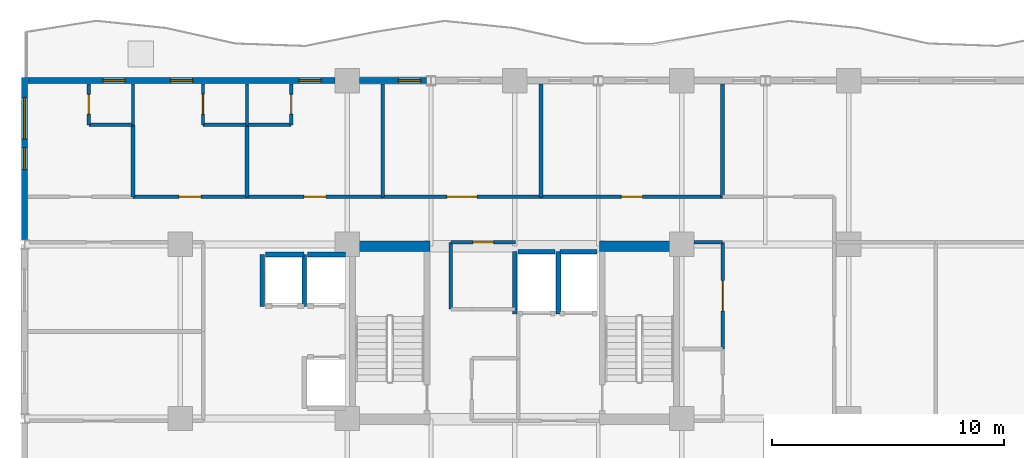
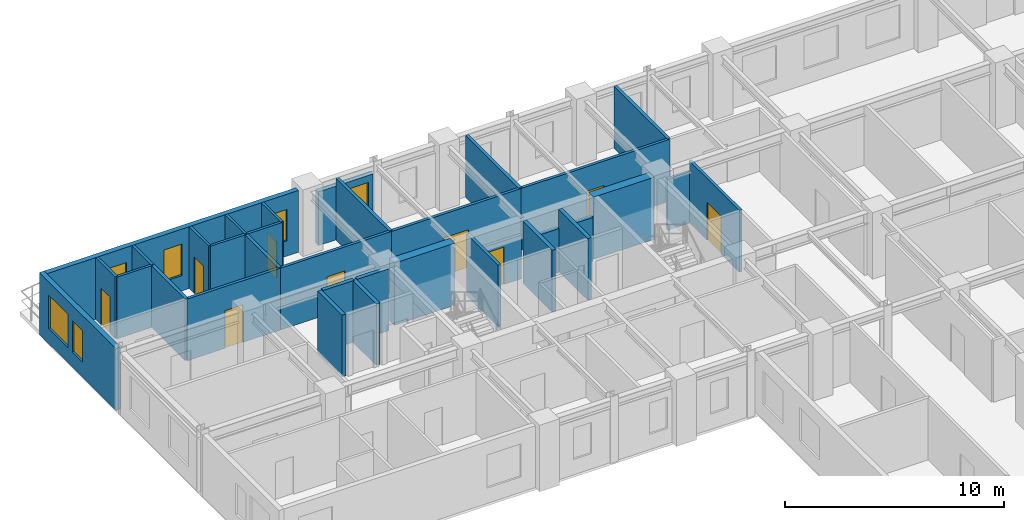
# One storey, part 8 of 13: 34 walls, 9 doors, 6 windows, 15 openings.
"""IFC4 building model written with IfcOpenShell, lengths in metres."""

from ifc_helpers import new_model, si_unit, direction, frame, frame_2d, origin, place, context, subcontext, project, spatial, rectangle, extrude, material, layer, layer_set, type_object, element, fill, save


model = new_model("IFC4")

# Units and contexts
model_context = context("Model", 3, precision=1e-05, world=origin(), true_north=direction((0.0, 1.0)))
body_context = subcontext(model_context, "Body", "Model", "MODEL_VIEW")
ifc_project = project(units=[si_unit("LENGTHUNIT", "METRE"), si_unit("AREAUNIT", "SQUARE_METRE"), si_unit("VOLUMEUNIT", "CUBIC_METRE"), si_unit("PLANEANGLEUNIT", "RADIAN"), si_unit("MASSUNIT", "GRAM", prefix="KILO")], contexts=[model_context])

# Site, building, storey
site_placement = place(None, origin())
site = spatial("IfcSite", under=ifc_project, at=site_placement, CompositionType="ELEMENT")
building_placement = place(site_placement, origin())
building = spatial("IfcBuilding", under=site, at=building_placement, Name="Kaliganga Portal Commons", CompositionType="ELEMENT")
storey_placement = place(building_placement, frame((0.0, 0.0, 162.39990234375)))
storey = spatial("IfcBuildingStorey", under=building, at=storey_placement, Name="L41", CompositionType="ELEMENT", Elevation=162.39990234375)

# Walls
ifc_material_1 = material(Name="Concrete C60/75", Category="concrete")
ifc_layer_1 = layer(ifc_material_1, 0.449951171875)
ifc_layer_set_1 = layer_set([ifc_layer_1], Name="Concrete C60/75")
wall_type_1 = type_object("IfcWallType", Name="WL-CORE-450", PredefinedType="SHEAR", material=ifc_layer_set_1)
for number, where, z_axis, x_axis, name in (
    (1, (14.75, 36.074951171875, 0.0), (0.0, 0.0, 1.0), (1.0, 0.0, 0.0), "Core A N-West Shear Wall L41"),
    (2, (25.25, 36.074951171875, 0.0), (0.0, 0.0, 1.0), (1.0, 0.0, 0.0), "Core A N-East Shear Wall L41"),
):
    element("IfcWall", number, at=place(storey_placement, frame(where, z_axis=z_axis, x_axis=x_axis)), inside=storey, type_object=wall_type_1, Name=name, PredefinedType="SHEAR", context=body_context, shape_type="SweptSolid", body=[
        extrude(rectangle(XDim=3.199951171875, YDim=0.449951171875, at=frame_2d((1.60009765625, 0.0))), origin(), (0.0, 0.0, 1.0), 3.460205078125),
    ])

# Wall, opening, window
ifc_material_2 = material(Name="Insulated Aluminium-Clad Spandrel Assembly", Category="aluminium")
ifc_layer_2 = layer(ifc_material_2, 0.260009765625)
ifc_layer_set_2 = layer_set([ifc_layer_2], Name="Insulated Aluminium-Clad Spandrel Assembly")
wall_type_2 = type_object("IfcWallType", Name="WL-EXT-SPAND-260", PredefinedType="STANDARD", material=ifc_layer_set_2)
wall_1_placement = place(storey_placement, frame((14.926025390625, 43.199951171875, 0.0), z_axis=(0.0, 0.0, 1.0), x_axis=(1.0, 0.0, 0.0)))
wall_1 = element("IfcWall", 3, at=wall_1_placement, inside=storey, type_object=wall_type_2, Name="Exterior Envelope Wall L41 P1-E02-S8", PredefinedType="STANDARD", context=body_context, shape_type="SweptSolid", body=[
    extrude(rectangle(XDim=2.87109375, YDim=0.260009765625, at=frame_2d((1.435546875, 0.0))), origin(), (0.0, 0.0, 1.0), 2.989990234375),
])
opening_1_placement = place(wall_1_placement, frame((1.672607421875, 0.0, 0.85009765625)))
opening_1 = element("IfcOpeningElement", 4, at=opening_1_placement, cuts=wall_1, Name="Opening W-04", PredefinedType="OPENING", context=body_context, shape_type="SweptSolid", body=[
    extrude(rectangle(XDim=0.949951171875, YDim=1.75, at=frame_2d((0.47509765625, 0.875))), frame((0.0, 0.14013671875, 0.0), z_axis=(0.0, -1.0, 0.0), x_axis=(1.0, 0.0, 0.0)), (0.0, 0.0, 1.0), 0.280029296875),
])
ifc_material_3 = material(Name="Thermally Broken Aluminium and Low-E Double Glazing", Category="aluminium")
window_type_1 = type_object("IfcWindowType", Name="WIN-NARROW-950", PartitioningType="SINGLE_PANEL", PredefinedType="WINDOW", material=ifc_material_3)
window_1_placement = place(opening_1_placement, origin())
window_1 = element("IfcWindow", 5, at=window_1_placement, inside=storey, type_object=window_type_1, Name="Facade Window L41-P1E02S8-N2", OverallHeight=1.75, OverallWidth=0.949951171875, PartitioningType="SINGLE_PANEL", PredefinedType="WINDOW", context=body_context, shape_type="SweptSolid", body=[
    extrude(rectangle(XDim=0.949951171875, YDim=1.75, at=frame_2d((0.47509765625, 0.875))), frame((0.0, 0.030029296875, 0.0), z_axis=(0.0, -1.0, 0.0), x_axis=(1.0, 0.0, 0.0)), (0.0, 0.0, 1.0), 0.06005859375),
])
fill(opening_1, window_1)

# Wall, openings, windows
wall_2_placement = place(storey_placement, frame((0.635009765625, 43.199951171875, 0.0), z_axis=(0.0, 0.0, 1.0), x_axis=(1.0, 0.0, 0.0)))
wall_2 = element("IfcWall", 6, at=wall_2_placement, inside=storey, type_object=wall_type_2, Name="Exterior Envelope Wall L41 P1-E02-S9", PredefinedType="STANDARD", context=body_context, shape_type="SweptSolid", body=[
    extrude(rectangle(XDim=13.239013671875, YDim=0.260009765625, at=frame_2d((6.61962890625, 0.0))), origin(), (0.0, 0.0, 1.0), 3.440185546875),
])
opening_2_placement = place(wall_2_placement, frame((6.14453125, 0.0, 0.85009765625)))
opening_2 = element("IfcOpeningElement", 7, at=opening_2_placement, cuts=wall_2, Name="Opening W-04", PredefinedType="OPENING", context=body_context, shape_type="SweptSolid", body=[
    extrude(rectangle(XDim=0.949951171875, YDim=1.75, at=frame_2d((0.47509765625, 0.875))), frame((0.0, 0.14013671875, 0.0), z_axis=(0.0, -1.0, 0.0), x_axis=(1.0, 0.0, 0.0)), (0.0, 0.0, 1.0), 0.280029296875),
])
opening_3_placement = place(wall_2_placement, frame((3.23193359375, 0.0, 0.85009765625)))
opening_3 = element("IfcOpeningElement", 8, at=opening_3_placement, cuts=wall_2, Name="Opening W-04", PredefinedType="OPENING", context=body_context, shape_type="SweptSolid", body=[
    extrude(rectangle(XDim=0.949951171875, YDim=1.75, at=frame_2d((0.47509765625, 0.875))), frame((0.0, 0.14013671875, 0.0), z_axis=(0.0, -1.0, 0.0), x_axis=(1.0, 0.0, 0.0)), (0.0, 0.0, 1.0), 0.280029296875),
])
opening_4_placement = place(wall_2_placement, frame((11.679443359375, 0.0, 0.85009765625)))
opening_4 = element("IfcOpeningElement", 9, at=opening_4_placement, cuts=wall_2, Name="Opening W-04", PredefinedType="OPENING", context=body_context, shape_type="SweptSolid", body=[
    extrude(rectangle(XDim=0.949951171875, YDim=1.75, at=frame_2d((0.47509765625, 0.875))), frame((0.0, 0.14013671875, 0.0), z_axis=(0.0, -1.0, 0.0), x_axis=(1.0, 0.0, 0.0)), (0.0, 0.0, 1.0), 0.280029296875),
])
window_2_placement = place(opening_2_placement, origin())
window_2 = element("IfcWindow", 10, at=window_2_placement, inside=storey, type_object=window_type_1, Name="Facade Window L41-P1E02S9-N0", OverallHeight=1.75, OverallWidth=0.949951171875, PartitioningType="SINGLE_PANEL", PredefinedType="WINDOW", context=body_context, shape_type="SweptSolid", body=[
    extrude(rectangle(XDim=0.949951171875, YDim=1.75, at=frame_2d((0.47509765625, 0.875))), frame((0.0, 0.030029296875, 0.0), z_axis=(0.0, -1.0, 0.0), x_axis=(1.0, 0.0, 0.0)), (0.0, 0.0, 1.0), 0.06005859375),
])
fill(opening_2, window_2)
window_3_placement = place(opening_3_placement, origin())
window_3 = element("IfcWindow", 11, at=window_3_placement, inside=storey, type_object=window_type_1, Name="Facade Window L41-P1E02S9-N3", OverallHeight=1.75, OverallWidth=0.949951171875, PartitioningType="SINGLE_PANEL", PredefinedType="WINDOW", context=body_context, shape_type="SweptSolid", body=[
    extrude(rectangle(XDim=0.949951171875, YDim=1.75, at=frame_2d((0.47509765625, 0.875))), frame((0.0, 0.030029296875, 0.0), z_axis=(0.0, -1.0, 0.0), x_axis=(1.0, 0.0, 0.0)), (0.0, 0.0, 1.0), 0.06005859375),
])
fill(opening_3, window_3)
window_4_placement = place(opening_4_placement, origin())
window_4 = element("IfcWindow", 12, at=window_4_placement, inside=storey, type_object=window_type_1, Name="Facade Window L41-P1E02S9-AN03", OverallHeight=1.75, OverallWidth=0.949951171875, PartitioningType="SINGLE_PANEL", PredefinedType="WINDOW", context=body_context, shape_type="SweptSolid", body=[
    extrude(rectangle(XDim=0.949951171875, YDim=1.75, at=frame_2d((0.47509765625, 0.875))), frame((0.0, 0.030029296875, 0.0), z_axis=(0.0, -1.0, 0.0), x_axis=(1.0, 0.0, 0.0)), (0.0, 0.0, 1.0), 0.06005859375),
])
fill(opening_4, window_4)

wall_3_placement = place(storey_placement, frame((0.5, 36.35791015625, 0.0), z_axis=(0.0, 0.0, 1.0), x_axis=(0.0, 1.0, 0.0)))
wall_3 = element("IfcWall", 13, at=wall_3_placement, inside=storey, type_object=wall_type_2, Name="Exterior Envelope Wall L41 P1-E03-S1", PredefinedType="STANDARD", context=body_context, shape_type="SweptSolid", body=[
    extrude(rectangle(XDim=6.97216796875, YDim=0.260009765625, at=frame_2d((3.486083984375, 0.0))), origin(), (0.0, 0.0, 1.0), 3.440185546875),
])
opening_5_placement = place(wall_3_placement, frame((4.3291015625, 0.0, 0.85009765625)))
opening_5 = element("IfcOpeningElement", 14, at=opening_5_placement, cuts=wall_3, Name="Opening W-01", PredefinedType="OPENING", context=body_context, shape_type="SweptSolid", body=[
    extrude(rectangle(XDim=1.800048828125, YDim=1.85009765625, at=frame_2d((0.89990234375, 0.925048828125))), frame((0.0, 0.14013671875, 0.0), z_axis=(0.0, -1.0, 0.0), x_axis=(1.0, 0.0, 0.0)), (0.0, 0.0, 1.0), 0.280029296875),
])
opening_6_placement = place(wall_3_placement, frame((3.010986328125, 0.0, 0.85009765625)))
opening_6 = element("IfcOpeningElement", 15, at=opening_6_placement, cuts=wall_3, Name="Opening W-04", PredefinedType="OPENING", context=body_context, shape_type="SweptSolid", body=[
    extrude(rectangle(XDim=0.949951171875, YDim=1.75, at=frame_2d((0.47509765625, 0.875))), frame((0.0, 0.14013671875, 0.0), z_axis=(0.0, -1.0, 0.0), x_axis=(1.0, 0.0, 0.0)), (0.0, 0.0, 1.0), 0.280029296875),
])
window_5_placement = place(opening_6_placement, origin())
window_5 = element("IfcWindow", 16, at=window_5_placement, inside=storey, type_object=window_type_1, Name="Facade Window L41-P1E03S1-N0", OverallHeight=1.75, OverallWidth=0.949951171875, PartitioningType="SINGLE_PANEL", PredefinedType="WINDOW", context=body_context, shape_type="SweptSolid", body=[
    extrude(rectangle(XDim=0.949951171875, YDim=1.75, at=frame_2d((0.47509765625, 0.875))), frame((0.0, 0.030029296875, 0.0), z_axis=(0.0, -1.0, 0.0), x_axis=(1.0, 0.0, 0.0)), (0.0, 0.0, 1.0), 0.06005859375),
])
fill(opening_6, window_5)
window_type_2 = type_object("IfcWindowType", Name="WIN-STD-1800", PartitioningType="DOUBLE_PANEL_VERTICAL", PredefinedType="WINDOW", material=ifc_material_3)
window_6_placement = place(opening_5_placement, origin())
window_6 = element("IfcWindow", 17, at=window_6_placement, inside=storey, type_object=window_type_2, Name="Facade Window L41-P1E03S1-01", OverallHeight=1.85009765625, OverallWidth=1.800048828125, PartitioningType="SINGLE_PANEL", PredefinedType="WINDOW", context=body_context, shape_type="SweptSolid", body=[
    extrude(rectangle(XDim=1.800048828125, YDim=1.85009765625, at=frame_2d((0.89990234375, 0.925048828125))), frame((0.0, 0.030029296875, 0.0), z_axis=(0.0, -1.0, 0.0), x_axis=(1.0, 0.0, 0.0)), (0.0, 0.0, 1.0), 0.06005859375),
])
fill(opening_5, window_6)

# Wall, opening, door
ifc_material_4 = material(Name="Fire-Rated Gypsum Board on Steel Stud", Category="steel")
ifc_layer_3 = layer(ifc_material_4, 0.14990234375)
ifc_layer_set_3 = layer_set([ifc_layer_3], Name="Fire-Rated Gypsum Board on Steel Stud")
wall_type_3 = type_object("IfcWallType", Name="WL-PART-CORR-150", PredefinedType="PARTITIONING", material=ifc_layer_set_3)
wall_4_placement = place(storey_placement, frame((22.739990234375, 38.199951171875, 0.0), z_axis=(0.0, 0.0, 1.0), x_axis=(1.0, 0.0, 0.0)))
wall_4 = element("IfcWall", 18, at=wall_4_placement, inside=storey, type_object=wall_type_3, Name="Interior Partition L41-017", PredefinedType="PARTITIONING", context=body_context, shape_type="SweptSolid", body=[
    extrude(rectangle(XDim=7.820068359375, YDim=0.14990234375, at=frame_2d((3.91015625, 0.0))), origin(), (0.0, 0.0, 1.0), 3.440185546875),
])
opening_7_placement = place(wall_4_placement, frame((3.4599609375, 0.0, 0.0)))
opening_7 = element("IfcOpeningElement", 19, at=opening_7_placement, cuts=wall_4, Name="Opening RD-01", PredefinedType="OPENING", context=body_context, shape_type="SweptSolid", body=[
    extrude(rectangle(XDim=0.89990234375, YDim=2.080078125, at=frame_2d((0.449951171875, 1.0400390625))), frame((0.0, 0.0849609375, 0.0), z_axis=(0.0, -1.0, 0.0), x_axis=(1.0, 0.0, 0.0)), (0.0, 0.0, 1.0), 0.169921875),
])
ifc_material_5 = material(Name="Engineered Timber Flush Door", Category="wood")
door_type_1 = type_object("IfcDoorType", Name="DR-ROOM-900", OperationType="NOTDEFINED", PredefinedType="DOOR", material=ifc_material_5)
door_1_placement = place(opening_7_placement, origin())
door_1 = element("IfcDoor", 20, at=door_1_placement, inside=storey, type_object=door_type_1, Name="Interior Door L41-AN05", OperationType="SINGLE_SWING_LEFT", OverallHeight=2.080078125, OverallWidth=0.89990234375, PredefinedType="DOOR", context=body_context, shape_type="SweptSolid", body=[
    extrude(rectangle(XDim=0.89990234375, YDim=2.080078125, at=frame_2d((0.449951171875, 1.0400390625))), frame((0.0, 0.02490234375, 0.0), z_axis=(0.0, -1.0, 0.0), x_axis=(1.0, 0.0, 0.0)), (0.0, 0.0, 1.0), 0.050048828125),
])
fill(opening_7, door_1)

wall_5_placement = place(storey_placement, frame((15.919921875, 38.199951171875, 0.0), z_axis=(0.0, 0.0, 1.0), x_axis=(1.0, 0.0, 0.0)))
wall_5 = element("IfcWall", 21, at=wall_5_placement, inside=storey, type_object=wall_type_3, Name="Interior Partition L41-027", PredefinedType="PARTITIONING", context=body_context, shape_type="SweptSolid", body=[
    extrude(rectangle(XDim=6.820068359375, YDim=0.14990234375, at=frame_2d((3.41015625, 0.0))), origin(), (0.0, 0.0, 1.0), 3.440185546875),
])
opening_8_placement = place(wall_5_placement, frame((2.760009765625, 0.0, 0.0)))
opening_8 = element("IfcOpeningElement", 22, at=opening_8_placement, cuts=wall_5, Name="Opening RD-03", PredefinedType="OPENING", context=body_context, shape_type="SweptSolid", body=[
    extrude(rectangle(XDim=1.300048828125, YDim=2.1201171875, at=frame_2d((0.64990234375, 1.06005859375))), frame((0.0, 0.0849609375, 0.0), z_axis=(0.0, -1.0, 0.0), x_axis=(1.0, 0.0, 0.0)), (0.0, 0.0, 1.0), 0.169921875),
])
ifc_material_6 = material(Name="Glazed Timber Seminar Vision Door", Category="wood")
door_type_2 = type_object("IfcDoorType", Name="DR-STUDY-1300", OperationType="DOUBLE_DOOR_SINGLE_SWING", PredefinedType="DOOR", material=ifc_material_6)
door_2_placement = place(opening_8_placement, origin())
door_2 = element("IfcDoor", 23, at=door_2_placement, inside=storey, type_object=door_type_2, Name="Interior Door L41-AN04", OperationType="DOUBLE_DOOR_SINGLE_SWING", OverallHeight=2.1201171875, OverallWidth=1.300048828125, PredefinedType="DOOR", context=body_context, shape_type="SweptSolid", body=[
    extrude(rectangle(XDim=1.300048828125, YDim=2.1201171875, at=frame_2d((0.64990234375, 1.06005859375))), frame((0.0, 0.02490234375, 0.0), z_axis=(0.0, -1.0, 0.0), x_axis=(1.0, 0.0, 0.0)), (0.0, 0.0, 1.0), 0.050048828125),
])
fill(opening_8, door_2)

wall_6_placement = place(storey_placement, frame((10.080078125, 38.199951171875, 0.0), z_axis=(0.0, 0.0, 1.0), x_axis=(1.0, 0.0, 0.0)))
wall_6 = element("IfcWall", 24, at=wall_6_placement, inside=storey, type_object=wall_type_3, Name="Interior Partition L41-029", PredefinedType="PARTITIONING", context=body_context, shape_type="SweptSolid", body=[
    extrude(rectangle(XDim=5.83984375, YDim=0.14990234375, at=frame_2d((2.919921875, 0.0))), origin(), (0.0, 0.0, 1.0), 3.440185546875),
])
opening_9_placement = place(wall_6_placement, frame((2.445068359375, 0.0, 0.0)))
opening_9 = element("IfcOpeningElement", 25, at=opening_9_placement, cuts=wall_6, Name="Opening UD-01", PredefinedType="OPENING", context=body_context, shape_type="SweptSolid", body=[
    extrude(rectangle(XDim=0.949951171875, YDim=2.10009765625, at=frame_2d((0.47509765625, 1.050048828125))), frame((0.0, 0.0849609375, 0.0), z_axis=(0.0, -1.0, 0.0), x_axis=(1.0, 0.0, 0.0)), (0.0, 0.0, 1.0), 0.169921875),
])
ifc_material_7 = material(Name="Solid-Core Timber Acoustic Fire Door", Category="wood")
door_type_3 = type_object("IfcDoorType", Name="DR-UNIT-950", OperationType="NOTDEFINED", PredefinedType="DOOR", material=ifc_material_7)
door_3_placement = place(opening_9_placement, origin())
door_3 = element("IfcDoor", 26, at=door_3_placement, inside=storey, type_object=door_type_3, Name="Interior Door L41-AN03", OperationType="SINGLE_SWING_RIGHT", OverallHeight=2.10009765625, OverallWidth=0.949951171875, PredefinedType="DOOR", context=body_context, shape_type="SweptSolid", body=[
    extrude(rectangle(XDim=0.949951171875, YDim=2.10009765625, at=frame_2d((0.47509765625, 1.050048828125))), frame((0.0, 0.02490234375, 0.0), z_axis=(0.0, -1.0, 0.0), x_axis=(1.0, 0.0, 0.0)), (0.0, 0.0, 1.0), 0.050048828125),
])
fill(opening_9, door_3)

wall_7_placement = place(storey_placement, frame((5.159912109375, 38.199951171875, 0.0), z_axis=(0.0, 0.0, 1.0), x_axis=(1.0, 0.0, 0.0)))
wall_7 = element("IfcWall", 27, at=wall_7_placement, inside=storey, type_object=wall_type_3, Name="Interior Partition L41-038", PredefinedType="PARTITIONING", context=body_context, shape_type="SweptSolid", body=[
    extrude(rectangle(XDim=4.920166015625, YDim=0.14990234375, at=frame_2d((2.4599609375, 0.0))), origin(), (0.0, 0.0, 1.0), 3.440185546875),
])
opening_10_placement = place(wall_7_placement, frame((1.985107421875, 0.0, 0.0)))
opening_10 = element("IfcOpeningElement", 28, at=opening_10_placement, cuts=wall_7, Name="Opening UD-01", PredefinedType="OPENING", context=body_context, shape_type="SweptSolid", body=[
    extrude(rectangle(XDim=0.949951171875, YDim=2.10009765625, at=frame_2d((0.47509765625, 1.050048828125))), frame((0.0, 0.0849609375, 0.0), z_axis=(0.0, -1.0, 0.0), x_axis=(1.0, 0.0, 0.0)), (0.0, 0.0, 1.0), 0.169921875),
])
door_4_placement = place(opening_10_placement, origin())
door_4 = element("IfcDoor", 29, at=door_4_placement, inside=storey, type_object=door_type_3, Name="Interior Door L41-AN02", OperationType="SINGLE_SWING_RIGHT", OverallHeight=2.10009765625, OverallWidth=0.949951171875, PredefinedType="DOOR", context=body_context, shape_type="SweptSolid", body=[
    extrude(rectangle(XDim=0.949951171875, YDim=2.10009765625, at=frame_2d((0.47509765625, 1.050048828125))), frame((0.0, 0.02490234375, 0.0), z_axis=(0.0, -1.0, 0.0), x_axis=(1.0, 0.0, 0.0)), (0.0, 0.0, 1.0), 0.050048828125),
])
fill(opening_10, door_4)

wall_8_placement = place(storey_placement, frame((30.56005859375, 31.639892578125, 0.0), z_axis=(0.0, 0.0, 1.0), x_axis=(0.0, 1.0, 0.0)))
wall_8 = element("IfcWall", 30, at=wall_8_placement, inside=storey, type_object=wall_type_3, Name="Interior Partition L41-043", PredefinedType="PARTITIONING", context=body_context, shape_type="SweptSolid", body=[
    extrude(rectangle(XDim=4.60009765625, YDim=0.14990234375, at=frame_2d((2.300048828125, 0.0))), origin(), (0.0, 0.0, 1.0), 3.440185546875),
])
opening_11_placement = place(wall_8_placement, frame((1.64990234375, 0.0, 0.0)))
opening_11 = element("IfcOpeningElement", 31, at=opening_11_placement, cuts=wall_8, Name="Opening RD-03", PredefinedType="OPENING", context=body_context, shape_type="SweptSolid", body=[
    extrude(rectangle(XDim=1.300048828125, YDim=2.1201171875, at=frame_2d((0.64990234375, 1.06005859375))), frame((0.0, 0.0849609375, 0.0), z_axis=(0.0, -1.0, 0.0), x_axis=(1.0, 0.0, 0.0)), (0.0, 0.0, 1.0), 0.169921875),
])
door_5_placement = place(opening_11_placement, origin())
door_5 = element("IfcDoor", 32, at=door_5_placement, inside=storey, type_object=door_type_2, Name="Interior Door L41-CSRV_A2", OperationType="DOUBLE_DOOR_SINGLE_SWING", OverallHeight=2.1201171875, OverallWidth=1.300048828125, PredefinedType="DOOR", context=body_context, shape_type="SweptSolid", body=[
    extrude(rectangle(XDim=1.300048828125, YDim=2.1201171875, at=frame_2d((0.64990234375, 1.06005859375))), frame((0.0, 0.02490234375, 0.0), z_axis=(0.0, -1.0, 0.0), x_axis=(1.0, 0.0, 0.0)), (0.0, 0.0, 1.0), 0.050048828125),
])
fill(opening_11, door_5)

# Wall
wall_9_placement = place(storey_placement, frame((18.860107421875, 33.360107421875, 0.0), z_axis=(0.0, 0.0, 1.0), x_axis=(0.0, 1.0, 0.0)))
element("IfcWall", 33, at=wall_9_placement, inside=storey, type_object=wall_type_3, Name="Interior Partition L41-052", PredefinedType="PARTITIONING", context=body_context, shape_type="SweptSolid", body=[
    extrude(rectangle(XDim=2.8798828125, YDim=0.14990234375, at=frame_2d((1.43994140625, 0.0))), origin(), (0.0, 0.0, 1.0), 3.440185546875),
])

# Wall, opening, door
wall_10_placement = place(storey_placement, frame((18.860107421875, 36.239990234375, 0.0), z_axis=(0.0, 0.0, 1.0), x_axis=(1.0, 0.0, 0.0)))
wall_10 = element("IfcWall", 34, at=wall_10_placement, inside=storey, type_object=wall_type_3, Name="Interior Partition L41-053", PredefinedType="PARTITIONING", context=body_context, shape_type="SweptSolid", body=[
    extrude(rectangle(XDim=2.77978515625, YDim=0.14990234375, at=frame_2d((1.389892578125, 0.0))), origin(), (0.0, 0.0, 1.0), 2.440185546875),
])
opening_12_placement = place(wall_10_placement, frame((0.93994140625, 0.0, 0.0)))
opening_12 = element("IfcOpeningElement", 35, at=opening_12_placement, cuts=wall_10, Name="Opening RD-01", PredefinedType="OPENING", context=body_context, shape_type="SweptSolid", body=[
    extrude(rectangle(XDim=0.89990234375, YDim=2.080078125, at=frame_2d((0.449951171875, 1.0400390625))), frame((0.0, 0.0849609375, 0.0), z_axis=(0.0, -1.0, 0.0), x_axis=(1.0, 0.0, 0.0)), (0.0, 0.0, 1.0), 0.169921875),
])
door_6_placement = place(opening_12_placement, origin())
door_6 = element("IfcDoor", 36, at=door_6_placement, inside=storey, type_object=door_type_1, Name="Interior Door L41-CREC_A1", OperationType="SINGLE_SWING_LEFT", OverallHeight=2.080078125, OverallWidth=0.89990234375, PredefinedType="DOOR", context=body_context, shape_type="SweptSolid", body=[
    extrude(rectangle(XDim=0.89990234375, YDim=2.080078125, at=frame_2d((0.449951171875, 1.0400390625))), frame((0.0, 0.02490234375, 0.0), z_axis=(0.0, -1.0, 0.0), x_axis=(1.0, 0.0, 0.0)), (0.0, 0.0, 1.0), 0.050048828125),
])
fill(opening_12, door_6)

# Walls
wall_11_placement = place(storey_placement, frame((29.324951171875, 36.239990234375, 0.0), z_axis=(0.0, 0.0, 1.0), x_axis=(1.0, 0.0, 0.0)))
element("IfcWall", 37, at=wall_11_placement, inside=storey, type_object=wall_type_3, Name="Interior Partition L41-066", PredefinedType="PARTITIONING", context=body_context, shape_type="SweptSolid", body=[
    extrude(rectangle(XDim=1.235107421875, YDim=0.14990234375, at=frame_2d((0.61767578125, 0.0))), origin(), (0.0, 0.0, 1.0), 2.840087890625),
])
ifc_material_8 = material(Name="Twin-Stud Acoustic Gypsum Partition", Category="gypsum")
ifc_layer_4 = layer(ifc_material_8, 0.1650390625)
ifc_layer_set_4 = layer_set([ifc_layer_4], Name="Twin-Stud Acoustic Gypsum Partition")
wall_type_4 = type_object("IfcWallType", Name="WL-PART-UNIT-165", PredefinedType="PARTITIONING", material=ifc_layer_set_4)
for number, where, z_axis, x_axis, name in (
    (38, (15.919921875, 38.199951171875, 0.0), (0.0, 0.0, 1.0), (0.0, 1.0, 0.0), "Interior Partition L41-078"),
    (39, (22.739990234375, 38.199951171875, 0.0), (0.0, 0.0, 1.0), (0.0, 1.0, 0.0), "Interior Partition L41-080"),
    (40, (30.56005859375, 38.199951171875, 0.0), (0.0, 0.0, 1.0), (0.0, 1.0, 0.0), "Interior Partition L41-081"),
):
    element("IfcWall", number, at=place(storey_placement, frame(where, z_axis=z_axis, x_axis=x_axis)), inside=storey, type_object=wall_type_4, Name=name, PredefinedType="PARTITIONING", context=body_context, shape_type="SweptSolid", body=[
        extrude(rectangle(XDim=4.8681640625, YDim=0.1650390625, at=frame_2d((2.43408203125, 0.0))), origin(), (0.0, 0.0, 1.0), 3.440185546875),
    ])
for number, where, z_axis, x_axis, name in (
    (41, (5.159912109375, 38.199951171875, 0.0), (0.0, 0.0, 1.0), (0.0, 1.0, 0.0), "Interior Partition L41-090"),
    (42, (10.080078125, 38.199951171875, 0.0), (0.0, 0.0, 1.0), (0.0, 1.0, 0.0), "Interior Partition L41-091"),
):
    element("IfcWall", number, at=place(storey_placement, frame(where, z_axis=z_axis, x_axis=x_axis)), inside=storey, type_object=wall_type_4, Name=name, PredefinedType="PARTITIONING", context=body_context, shape_type="SweptSolid", body=[
        extrude(rectangle(XDim=3.10009765625, YDim=0.1650390625, at=frame_2d((1.550048828125, 0.0))), origin(), (0.0, 0.0, 1.0), 3.440185546875),
    ])

# Wall, opening, door
ifc_material_9 = material(Name="Cement-Board Wet-Room Partition", Category="gypsum")
ifc_layer_5 = layer(ifc_material_9, 0.135009765625)
ifc_layer_set_5 = layer_set([ifc_layer_5], Name="Cement-Board Wet-Room Partition")
wall_type_5 = type_object("IfcWallType", Name="WL-PART-WET-135", PredefinedType="PARTITIONING", material=ifc_layer_set_5)
wall_12_placement = place(storey_placement, frame((3.260009765625, 41.300048828125, 0.0), z_axis=(0.0, 0.0, 1.0), x_axis=(0.0, 1.0, 0.0)))
wall_12 = element("IfcWall", 43, at=wall_12_placement, inside=storey, type_object=wall_type_5, Name="Interior Partition L41-001", PredefinedType="PARTITIONING", context=body_context, shape_type="SweptSolid", body=[
    extrude(rectangle(XDim=1.76806640625, YDim=0.135009765625, at=frame_2d((0.884033203125, 0.0))), origin(), (0.0, 0.0, 1.0), 3.440185546875),
])
opening_13_placement = place(wall_12_placement, frame((0.458984375, 0.0, 0.0)))
opening_13 = element("IfcOpeningElement", 44, at=opening_13_placement, cuts=wall_12, Name="Opening WD-01", PredefinedType="OPENING", context=body_context, shape_type="SweptSolid", body=[
    extrude(rectangle(XDim=0.85009765625, YDim=2.0400390625, at=frame_2d((0.425048828125, 1.02001953125))), frame((0.0, 0.07763671875, 0.0), z_axis=(0.0, -1.0, 0.0), x_axis=(1.0, 0.0, 0.0)), (0.0, 0.0, 1.0), 0.155029296875),
])
ifc_material_10 = material(Name="Moisture-Resistant Laminate Timber Door", Category="wood")
door_type_4 = type_object("IfcDoorType", Name="DR-WET-850", OperationType="NOTDEFINED", PredefinedType="DOOR", material=ifc_material_10)
door_7_placement = place(opening_13_placement, origin())
door_7 = element("IfcDoor", 45, at=door_7_placement, inside=storey, type_object=door_type_4, Name="Interior Door L41-AN01E", OperationType="SINGLE_SWING_RIGHT", OverallHeight=2.0400390625, OverallWidth=0.85009765625, PredefinedType="DOOR", context=body_context, shape_type="SweptSolid", body=[
    extrude(rectangle(XDim=0.85009765625, YDim=2.0400390625, at=frame_2d((0.425048828125, 1.02001953125))), frame((0.0, 0.02490234375, 0.0), z_axis=(0.0, -1.0, 0.0), x_axis=(1.0, 0.0, 0.0)), (0.0, 0.0, 1.0), 0.050048828125),
])
fill(opening_13, door_7)

# Wall
wall_13_placement = place(storey_placement, frame((5.159912109375, 41.300048828125, 0.0), z_axis=(0.0, 0.0, 1.0), x_axis=(0.0, 1.0, 0.0)))
element("IfcWall", 46, at=wall_13_placement, inside=storey, type_object=wall_type_5, Name="Interior Partition L41-002", PredefinedType="PARTITIONING", context=body_context, shape_type="SweptSolid", body=[
    extrude(rectangle(XDim=1.76806640625, YDim=0.135009765625, at=frame_2d((0.884033203125, 0.0))), origin(), (0.0, 0.0, 1.0), 3.440185546875),
])

# Wall, opening, door
wall_14_placement = place(storey_placement, frame((8.179931640625, 41.300048828125, 0.0), z_axis=(0.0, 0.0, 1.0), x_axis=(0.0, 1.0, 0.0)))
wall_14 = element("IfcWall", 47, at=wall_14_placement, inside=storey, type_object=wall_type_5, Name="Interior Partition L41-003", PredefinedType="PARTITIONING", context=body_context, shape_type="SweptSolid", body=[
    extrude(rectangle(XDim=1.76806640625, YDim=0.135009765625, at=frame_2d((0.884033203125, 0.0))), origin(), (0.0, 0.0, 1.0), 3.440185546875),
])
opening_14_placement = place(wall_14_placement, frame((0.458984375, 0.0, 0.0)))
opening_14 = element("IfcOpeningElement", 48, at=opening_14_placement, cuts=wall_14, Name="Opening WD-01", PredefinedType="OPENING", context=body_context, shape_type="SweptSolid", body=[
    extrude(rectangle(XDim=0.85009765625, YDim=2.0400390625, at=frame_2d((0.425048828125, 1.02001953125))), frame((0.0, 0.07763671875, 0.0), z_axis=(0.0, -1.0, 0.0), x_axis=(1.0, 0.0, 0.0)), (0.0, 0.0, 1.0), 0.155029296875),
])
door_8_placement = place(opening_14_placement, origin())
door_8 = element("IfcDoor", 49, at=door_8_placement, inside=storey, type_object=door_type_4, Name="Interior Door L41-AN02E", OperationType="SINGLE_SWING_LEFT", OverallHeight=2.0400390625, OverallWidth=0.85009765625, PredefinedType="DOOR", context=body_context, shape_type="SweptSolid", body=[
    extrude(rectangle(XDim=0.85009765625, YDim=2.0400390625, at=frame_2d((0.425048828125, 1.02001953125))), frame((0.0, 0.02490234375, 0.0), z_axis=(0.0, -1.0, 0.0), x_axis=(1.0, 0.0, 0.0)), (0.0, 0.0, 1.0), 0.050048828125),
])
fill(opening_14, door_8)

# Wall
wall_15_placement = place(storey_placement, frame((10.080078125, 41.300048828125, 0.0), z_axis=(0.0, 0.0, 1.0), x_axis=(0.0, 1.0, 0.0)))
element("IfcWall", 50, at=wall_15_placement, inside=storey, type_object=wall_type_5, Name="Interior Partition L41-004", PredefinedType="PARTITIONING", context=body_context, shape_type="SweptSolid", body=[
    extrude(rectangle(XDim=1.76806640625, YDim=0.135009765625, at=frame_2d((0.884033203125, 0.0))), origin(), (0.0, 0.0, 1.0), 3.440185546875),
])

# Wall, opening, door
wall_16_placement = place(storey_placement, frame((11.97998046875, 41.300048828125, 0.0), z_axis=(0.0, 0.0, 1.0), x_axis=(0.0, 1.0, 0.0)))
wall_16 = element("IfcWall", 51, at=wall_16_placement, inside=storey, type_object=wall_type_5, Name="Interior Partition L41-005", PredefinedType="PARTITIONING", context=body_context, shape_type="SweptSolid", body=[
    extrude(rectangle(XDim=1.76806640625, YDim=0.135009765625, at=frame_2d((0.884033203125, 0.0))), origin(), (0.0, 0.0, 1.0), 3.440185546875),
])
opening_15_placement = place(wall_16_placement, frame((0.458984375, 0.0, 0.0)))
opening_15 = element("IfcOpeningElement", 52, at=opening_15_placement, cuts=wall_16, Name="Opening WD-01", PredefinedType="OPENING", context=body_context, shape_type="SweptSolid", body=[
    extrude(rectangle(XDim=0.85009765625, YDim=2.0400390625, at=frame_2d((0.425048828125, 1.02001953125))), frame((0.0, 0.07763671875, 0.0), z_axis=(0.0, -1.0, 0.0), x_axis=(1.0, 0.0, 0.0)), (0.0, 0.0, 1.0), 0.155029296875),
])
door_9_placement = place(opening_15_placement, origin())
door_9 = element("IfcDoor", 53, at=door_9_placement, inside=storey, type_object=door_type_4, Name="Interior Door L41-AN03E", OperationType="SINGLE_SWING_RIGHT", OverallHeight=2.0400390625, OverallWidth=0.85009765625, PredefinedType="DOOR", context=body_context, shape_type="SweptSolid", body=[
    extrude(rectangle(XDim=0.85009765625, YDim=2.0400390625, at=frame_2d((0.425048828125, 1.02001953125))), frame((0.0, 0.02490234375, 0.0), z_axis=(0.0, -1.0, 0.0), x_axis=(1.0, 0.0, 0.0)), (0.0, 0.0, 1.0), 0.050048828125),
])
fill(opening_15, door_9)

# Walls
wall_17_placement = place(storey_placement, frame((3.260009765625, 41.300048828125, 0.0), z_axis=(0.0, 0.0, 1.0), x_axis=(1.0, 0.0, 0.0)))
element("IfcWall", 54, at=wall_17_placement, inside=storey, type_object=wall_type_5, Name="Interior Partition L41-007", PredefinedType="PARTITIONING", context=body_context, shape_type="SweptSolid", body=[
    extrude(rectangle(XDim=1.89990234375, YDim=0.135009765625, at=frame_2d((0.949951171875, 0.0))), origin(), (0.0, 0.0, 1.0), 3.440185546875),
])
wall_18_placement = place(storey_placement, frame((8.179931640625, 41.300048828125, 0.0), z_axis=(0.0, 0.0, 1.0), x_axis=(1.0, 0.0, 0.0)))
element("IfcWall", 55, at=wall_18_placement, inside=storey, type_object=wall_type_5, Name="Interior Partition L41-008", PredefinedType="PARTITIONING", context=body_context, shape_type="SweptSolid", body=[
    extrude(rectangle(XDim=1.900146484375, YDim=0.135009765625, at=frame_2d((0.9501953125, 0.0))), origin(), (0.0, 0.0, 1.0), 3.440185546875),
])
wall_19_placement = place(storey_placement, frame((10.080078125, 41.300048828125, 0.0), z_axis=(0.0, 0.0, 1.0), x_axis=(1.0, 0.0, 0.0)))
element("IfcWall", 56, at=wall_19_placement, inside=storey, type_object=wall_type_5, Name="Interior Partition L41-009", PredefinedType="PARTITIONING", context=body_context, shape_type="SweptSolid", body=[
    extrude(rectangle(XDim=1.89990234375, YDim=0.135009765625, at=frame_2d((0.949951171875, 0.0))), origin(), (0.0, 0.0, 1.0), 3.440185546875),
])
ifc_material_11 = material(Name="Fire-Rated Shaftwall Masonry Assembly", Category="masonry")
ifc_layer_6 = layer(ifc_material_11, 0.199951171875)
ifc_layer_set_6 = layer_set([ifc_layer_6], Name="Fire-Rated Shaftwall Masonry Assembly")
wall_type_6 = type_object("IfcWallType", Name="WL-SHAFT-200", PredefinedType="PARTITIONING", material=ifc_layer_set_6)
wall_20_placement = place(storey_placement, frame((12.675048828125, 35.715087890625, 0.0), z_axis=(0.0, 0.0, 1.0), x_axis=(1.0, 0.0, 0.0)))
element("IfcWall", 57, at=wall_20_placement, inside=storey, type_object=wall_type_6, Name="Lift PL-A3 Hoistway Shaft Wall L41-N", PredefinedType="PARTITIONING", context=body_context, shape_type="SweptSolid", body=[
    extrude(rectangle(XDim=1.64990234375, YDim=0.199951171875, at=frame_2d((0.824951171875, 0.0))), origin(), (0.0, 0.0, 1.0), 3.440185546875),
])
wall_21_placement = place(storey_placement, frame((12.534912109375, 33.485107421875, 0.0), z_axis=(0.0, 0.0, 1.0), x_axis=(0.0, 1.0, 0.0)))
element("IfcWall", 58, at=wall_21_placement, inside=storey, type_object=wall_type_6, Name="Lift PL-A3 Hoistway Shaft Wall L41-W", PredefinedType="PARTITIONING", context=body_context, shape_type="SweptSolid", body=[
    extrude(rectangle(XDim=2.22998046875, YDim=0.199951171875, at=frame_2d((1.114990234375, 0.0))), origin(), (0.0, 0.0, 1.0), 3.440185546875),
])
wall_22_placement = place(storey_placement, frame((10.875, 35.715087890625, 0.0), z_axis=(0.0, 0.0, 1.0), x_axis=(1.0, 0.0, 0.0)))
element("IfcWall", 59, at=wall_22_placement, inside=storey, type_object=wall_type_6, Name="Lift PL-OBS Hoistway Shaft Wall L41-N", PredefinedType="PARTITIONING", context=body_context, shape_type="SweptSolid", body=[
    extrude(rectangle(XDim=1.64990234375, YDim=0.199951171875, at=frame_2d((0.824951171875, 0.0))), origin(), (0.0, 0.0, 1.0), 3.440185546875),
])
wall_23_placement = place(storey_placement, frame((10.735107421875, 33.485107421875, 0.0), z_axis=(0.0, 0.0, 1.0), x_axis=(0.0, 1.0, 0.0)))
element("IfcWall", 60, at=wall_23_placement, inside=storey, type_object=wall_type_6, Name="Lift PL-OBS Hoistway Shaft Wall L41-W", PredefinedType="PARTITIONING", context=body_context, shape_type="SweptSolid", body=[
    extrude(rectangle(XDim=2.22998046875, YDim=0.199951171875, at=frame_2d((1.114990234375, 0.0))), origin(), (0.0, 0.0, 1.0), 3.440185546875),
])
wall_24_placement = place(storey_placement, frame((21.75, 35.840087890625, 0.0), z_axis=(0.0, 0.0, 1.0), x_axis=(1.0, 0.0, 0.0)))
element("IfcWall", 61, at=wall_24_placement, inside=storey, type_object=wall_type_6, Name="Lift FFL-1 Hoistway Shaft Wall L41-N", PredefinedType="PARTITIONING", context=body_context, shape_type="SweptSolid", body=[
    extrude(rectangle(XDim=1.60009765625, YDim=0.199951171875, at=frame_2d((0.800048828125, 0.0))), origin(), (0.0, 0.0, 1.0), 2.440185546875),
])
for number, where, z_axis, x_axis, name in (
    (62, (21.610107421875, 33.159912109375, 0.0), (0.0, 0.0, 1.0), (0.0, 1.0, 0.0), "Lift FFL-1 Hoistway Shaft Wall L41-W"),
    (63, (23.489990234375, 33.159912109375, 0.0), (0.0, 0.0, 1.0), (0.0, 1.0, 0.0), "Lift FFL-1 Hoistway Shaft Wall L41-E"),
):
    element("IfcWall", number, at=place(storey_placement, frame(where, z_axis=z_axis, x_axis=x_axis)), inside=storey, type_object=wall_type_6, Name=name, PredefinedType="PARTITIONING", context=body_context, shape_type="SweptSolid", body=[
        extrude(rectangle(XDim=2.68017578125, YDim=0.199951171875, at=frame_2d((1.340087890625, 0.0))), origin(), (0.0, 0.0, 1.0), 3.440185546875),
    ])
wall_25_placement = place(storey_placement, frame((23.550048828125, 35.840087890625, 0.0), z_axis=(0.0, 0.0, 1.0), x_axis=(1.0, 0.0, 0.0)))
element("IfcWall", 64, at=wall_25_placement, inside=storey, type_object=wall_type_6, Name="Lift FFL-2 Hoistway Shaft Wall L41-N", PredefinedType="PARTITIONING", context=body_context, shape_type="SweptSolid", body=[
    extrude(rectangle(XDim=1.599853515625, YDim=0.199951171875, at=frame_2d((0.7998046875, 0.0))), origin(), (0.0, 0.0, 1.0), 2.440185546875),
])

save(model, "model.ifc")
